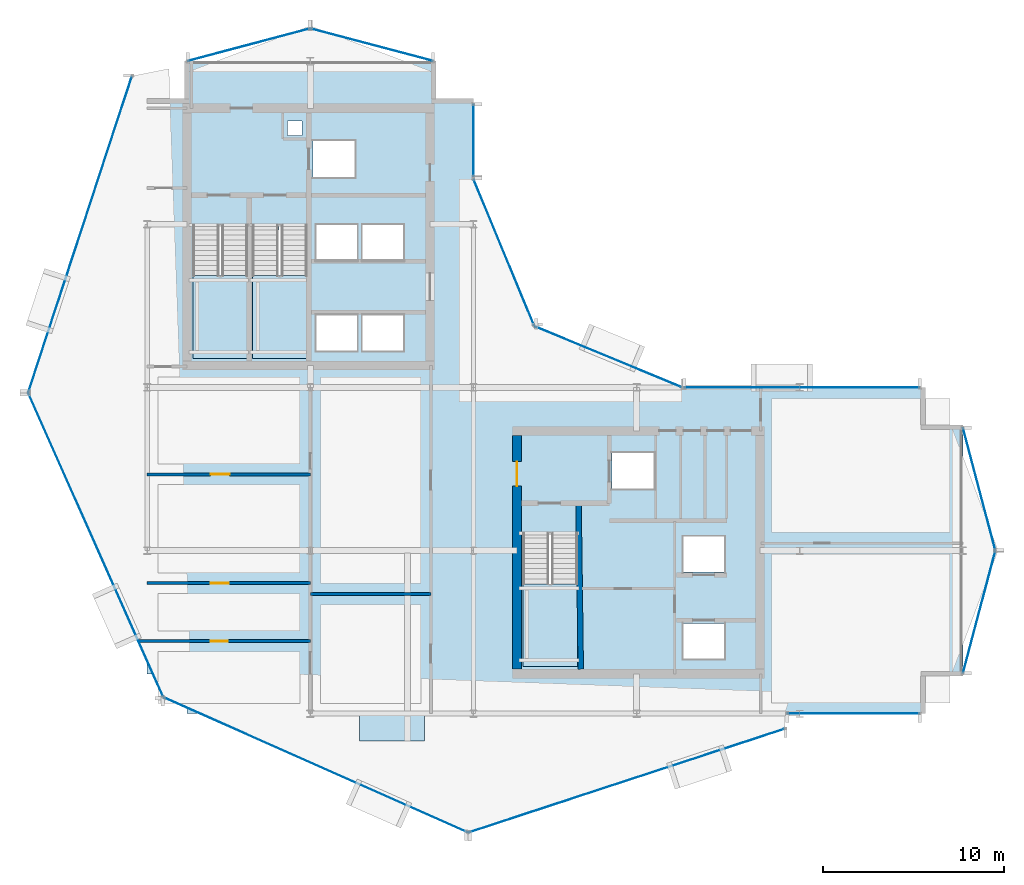
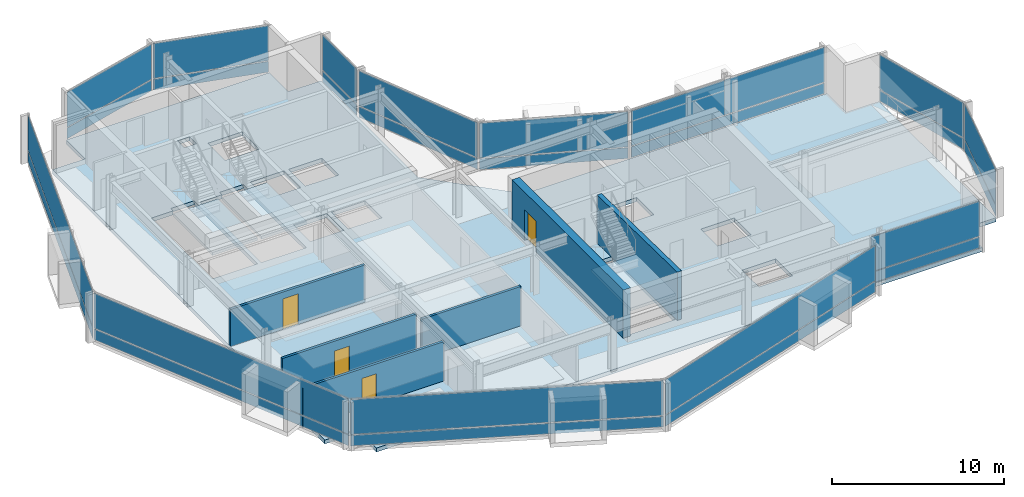
# One storey, part 19 of 27: 26 plates, 6 walls, 5 slabs, 4 doors, 4 openings, 16 elements without a shape of their own.
"""IFC4 building model written with IfcOpenShell, lengths in metres."""

from ifc_helpers import new_model, si_unit, direction, frame, frame_2d, origin, origin_2d, place, context, subcontext, project, spatial, polyline, rectangle, outline, extrude, material, layer, layer_set, type_object, element, fill, aggregate, save


model = new_model("IFC4")

# Units and contexts
model_context = context("Model", 3, precision=1e-05, world=origin(), true_north=direction((0.0, 1.0)))
body_context = subcontext(model_context, "Body", "Model", "MODEL_VIEW")
ifc_project = project(units=[si_unit("LENGTHUNIT", "METRE"), si_unit("AREAUNIT", "SQUARE_METRE"), si_unit("VOLUMEUNIT", "CUBIC_METRE"), si_unit("PLANEANGLEUNIT", "RADIAN"), si_unit("MASSUNIT", "GRAM", prefix="KILO")], contexts=[model_context])

# Site, building, storey
site_placement = place(None, origin())
site = spatial("IfcSite", under=ifc_project, at=site_placement, CompositionType="ELEMENT")
building_placement = place(site_placement, origin())
building = spatial("IfcBuilding", under=site, at=building_placement, Name="Solvaryn Broadcast Tower", CompositionType="ELEMENT")
storey_placement = place(building_placement, frame((0.0, 0.0, 181.60009765625)))
storey = spatial("IfcBuildingStorey", under=building, at=storey_placement, Name="L45", CompositionType="ELEMENT", Elevation=181.60009765625)

# Curtain wall, plates
ifc_material_1 = material(Name="Aluminium and Terracotta Unitised Curtain Wall", Category="masonry")
ifc_layer_1 = layer(ifc_material_1, 0.199951171875)
ifc_layer_set_1 = layer_set([ifc_layer_1], Name="CW-SYS2-LOWMID")
curtain_wall_type = type_object("IfcCurtainWallType", Name="CW-SYS2-LOWMID", PredefinedType="NOTDEFINED", material=ifc_layer_set_1)
curtain_wall_1_placement = place(storey_placement, origin())
curtain_wall_1 = element("IfcCurtainWall", 1, at=curtain_wall_1_placement, inside=storey, type_object=curtain_wall_type, Name="L45 Curtain Wall DR1", PredefinedType="NOTDEFINED")
ifc_material_2 = material(Name="Low-Iron Insulated Vision Glass", Category="glass")
ifc_layer_2 = layer(ifc_material_2, 0.035888671875)
ifc_layer_set_2 = layer_set([ifc_layer_2], Name="CW-PNL-VISION")
plate_type = type_object("IfcPlateType", Name="CW-PNL-VISION", PredefinedType="CURTAIN_PANEL", material=ifc_layer_set_2)
plate_1_placement = place(storey_placement, frame((5.298095703125, 35.444091796875, 0.06005859375), z_axis=(0.0, 0.0, 1.0), x_axis=(-0.311558717623, -0.950226902099, 0.0)))
plate_1 = element("IfcPlate", 2, at=plate_1_placement, type_object=plate_type, Name="CWS2 panel 1.1", PredefinedType="CURTAIN_PANEL", context=body_context, shape_type="SweptSolid", body=[
    extrude(rectangle(XDim=18.271484375, YDim=0.028076171875, at=origin_2d()), origin(), (0.0, 0.0, 1.0), 0.760009765625),
])
plate_2_placement = place(storey_placement, frame((5.298095703125, 35.444091796875, 0.8798828125), z_axis=(0.0, 0.0, 1.0), x_axis=(-0.311558717623, -0.950226902099, 0.0)))
plate_2 = element("IfcPlate", 3, at=plate_2_placement, type_object=plate_type, Name="CWS2 panel 1.2", PredefinedType="CURTAIN_PANEL", context=body_context, shape_type="SweptSolid", body=[
    extrude(rectangle(XDim=18.271484375, YDim=0.028076171875, at=origin_2d()), origin(), (0.0, 0.0, 1.0), 2.47998046875),
])
aggregate(curtain_wall_1, [plate_1, plate_2])

curtain_wall_2_placement = place(storey_placement, origin())
curtain_wall_2 = element("IfcCurtainWall", 4, at=curtain_wall_2_placement, inside=storey, type_object=curtain_wall_type, Name="L45 Curtain Wall DR2", PredefinedType="NOTDEFINED")
plate_3_placement = place(storey_placement, frame((6.16552734375, 18.302001953125, 0.06005859375), z_axis=(0.0, 0.0, 1.0), x_axis=(0.405901337237, -0.913916902365, 0.0)))
plate_3 = element("IfcPlate", 5, at=plate_3_placement, type_object=plate_type, Name="CWS2 panel 1.1", PredefinedType="CURTAIN_PANEL", context=body_context, shape_type="SweptSolid", body=[
    extrude(rectangle(XDim=18.271240234375, YDim=0.028076171875, at=origin_2d()), origin(), (0.0, 0.0, 1.0), 0.760009765625),
])
plate_4_placement = place(storey_placement, frame((6.16552734375, 18.302001953125, 0.8798828125), z_axis=(0.0, 0.0, 1.0), x_axis=(0.405901337237, -0.913916902365, 0.0)))
plate_4 = element("IfcPlate", 6, at=plate_4_placement, type_object=plate_type, Name="CWS2 panel 1.2", PredefinedType="CURTAIN_PANEL", context=body_context, shape_type="SweptSolid", body=[
    extrude(rectangle(XDim=18.271240234375, YDim=0.028076171875, at=origin_2d()), origin(), (0.0, 0.0, 1.0), 2.47998046875),
])
aggregate(curtain_wall_2, [plate_3, plate_4])

curtain_wall_3_placement = place(storey_placement, origin())
curtain_wall_3 = element("IfcCurtainWall", 7, at=curtain_wall_3_placement, inside=storey, type_object=curtain_wall_type, Name="L45 Curtain Wall DR3", PredefinedType="NOTDEFINED")
plate_5_placement = place(storey_placement, frame((18.302001953125, 6.16552734375, 0.06005859375), z_axis=(0.0, 0.0, 1.0), x_axis=(0.913916902365, -0.405901337237, 0.0)))
plate_5 = element("IfcPlate", 8, at=plate_5_placement, type_object=plate_type, Name="CWS2 panel 1.1", PredefinedType="CURTAIN_PANEL", context=body_context, shape_type="SweptSolid", body=[
    extrude(rectangle(XDim=18.271240234375, YDim=0.028076171875, at=origin_2d()), origin(), (0.0, 0.0, 1.0), 0.760009765625),
])
plate_6_placement = place(storey_placement, frame((18.302001953125, 6.16552734375, 0.8798828125), z_axis=(0.0, 0.0, 1.0), x_axis=(0.913916902365, -0.405901337237, 0.0)))
plate_6 = element("IfcPlate", 9, at=plate_6_placement, type_object=plate_type, Name="CWS2 panel 1.2", PredefinedType="CURTAIN_PANEL", context=body_context, shape_type="SweptSolid", body=[
    extrude(rectangle(XDim=18.271240234375, YDim=0.028076171875, at=origin_2d()), origin(), (0.0, 0.0, 1.0), 2.47998046875),
])
aggregate(curtain_wall_3, [plate_5, plate_6])

curtain_wall_4_placement = place(storey_placement, origin())
curtain_wall_4 = element("IfcCurtainWall", 10, at=curtain_wall_4_placement, inside=storey, type_object=curtain_wall_type, Name="L45 Curtain Wall DR4", PredefinedType="NOTDEFINED")
plate_7_placement = place(storey_placement, frame((35.444091796875, 5.298095703125, 0.06005859375), z_axis=(0.0, 0.0, 1.0), x_axis=(0.950226902099, 0.311558717623, 0.0)))
plate_7 = element("IfcPlate", 11, at=plate_7_placement, type_object=plate_type, Name="CWS2 panel 1.1", PredefinedType="CURTAIN_PANEL", context=body_context, shape_type="SweptSolid", body=[
    extrude(rectangle(XDim=18.271484375, YDim=0.028076171875, at=origin_2d()), origin(), (0.0, 0.0, 1.0), 0.760009765625),
])
plate_8_placement = place(storey_placement, frame((35.444091796875, 5.298095703125, 0.8798828125), z_axis=(0.0, 0.0, 1.0), x_axis=(0.950226902099, 0.311558717623, 0.0)))
plate_8 = element("IfcPlate", 12, at=plate_8_placement, type_object=plate_type, Name="CWS2 panel 1.2", PredefinedType="CURTAIN_PANEL", context=body_context, shape_type="SweptSolid", body=[
    extrude(rectangle(XDim=18.271484375, YDim=0.028076171875, at=origin_2d()), origin(), (0.0, 0.0, 1.0), 2.47998046875),
])
aggregate(curtain_wall_4, [plate_7, plate_8])

curtain_wall_5_placement = place(storey_placement, origin())
curtain_wall_5 = element("IfcCurtainWall", 13, at=curtain_wall_5_placement, inside=storey, type_object=curtain_wall_type, Name="L45 Curtain Wall IV", PredefinedType="NOTDEFINED")
plate_9_placement = place(storey_placement, frame((27.0, 40.625, 0.06005859375), z_axis=(0.0, 0.0, 1.0), x_axis=(0.0, -1.0, 0.0)))
plate_9 = element("IfcPlate", 14, at=plate_9_placement, type_object=plate_type, Name="CWS2 panel 1.1", PredefinedType="CURTAIN_PANEL", context=body_context, shape_type="SweptSolid", body=[
    extrude(rectangle(XDim=3.929931640625, YDim=0.028076171875, at=origin_2d()), origin(), (0.0, 0.0, 1.0), 0.760009765625),
])
plate_10_placement = place(storey_placement, frame((27.0, 40.625, 0.8798828125), z_axis=(0.0, 0.0, 1.0), x_axis=(0.0, -1.0, 0.0)))
plate_10 = element("IfcPlate", 15, at=plate_10_placement, type_object=plate_type, Name="CWS2 panel 1.2", PredefinedType="CURTAIN_PANEL", context=body_context, shape_type="SweptSolid", body=[
    extrude(rectangle(XDim=3.929931640625, YDim=0.028076171875, at=origin_2d()), origin(), (0.0, 0.0, 1.0), 2.47998046875),
])
aggregate(curtain_wall_5, [plate_9, plate_10])

curtain_wall_6_placement = place(storey_placement, origin())
curtain_wall_6 = element("IfcCurtainWall", 16, at=curtain_wall_6_placement, inside=storey, type_object=curtain_wall_type, Name="L45 Curtain Wall CN1", PredefinedType="NOTDEFINED")
plate_11_placement = place(storey_placement, frame((34.43408203125, 28.68408203125, 0.06005859375), z_axis=(0.0, 0.0, 1.0), x_axis=(-0.923894983957, 0.382646127145, 0.0)))
plate_11 = element("IfcPlate", 17, at=plate_11_placement, type_object=plate_type, Name="CWS2 panel 1.1", PredefinedType="CURTAIN_PANEL", context=body_context, shape_type="SweptSolid", body=[
    extrude(rectangle(XDim=8.681884765625, YDim=0.028076171875, at=origin_2d()), origin(), (0.0, 0.0, 1.0), 0.760009765625),
])
plate_12_placement = place(storey_placement, frame((34.43408203125, 28.68408203125, 0.8798828125), z_axis=(0.0, 0.0, 1.0), x_axis=(-0.923894983957, 0.382646127145, 0.0)))
plate_12 = element("IfcPlate", 18, at=plate_12_placement, type_object=plate_type, Name="CWS2 panel 1.2", PredefinedType="CURTAIN_PANEL", context=body_context, shape_type="SweptSolid", body=[
    extrude(rectangle(XDim=8.681884765625, YDim=0.028076171875, at=origin_2d()), origin(), (0.0, 0.0, 1.0), 2.47998046875),
])
aggregate(curtain_wall_6, [plate_11, plate_12])

curtain_wall_7_placement = place(storey_placement, origin())
curtain_wall_7 = element("IfcCurtainWall", 19, at=curtain_wall_7_placement, inside=storey, type_object=curtain_wall_type, Name="L45 Curtain Wall CN2", PredefinedType="NOTDEFINED")
plate_13_placement = place(storey_placement, frame((28.68408203125, 34.43408203125, 0.06005859375), z_axis=(0.0, 0.0, 1.0), x_axis=(-0.382646127145, 0.923894983957, 0.0)))
plate_13 = element("IfcPlate", 20, at=plate_13_placement, type_object=plate_type, Name="CWS2 panel 1.1", PredefinedType="CURTAIN_PANEL", context=body_context, shape_type="SweptSolid", body=[
    extrude(rectangle(XDim=8.681884765625, YDim=0.028076171875, at=origin_2d()), origin(), (0.0, 0.0, 1.0), 0.760009765625),
])
plate_14_placement = place(storey_placement, frame((28.68408203125, 34.43408203125, 0.8798828125), z_axis=(0.0, 0.0, 1.0), x_axis=(-0.382646127145, 0.923894983957, 0.0)))
plate_14 = element("IfcPlate", 21, at=plate_14_placement, type_object=plate_type, Name="CWS2 panel 1.2", PredefinedType="CURTAIN_PANEL", context=body_context, shape_type="SweptSolid", body=[
    extrude(rectangle(XDim=8.681884765625, YDim=0.028076171875, at=origin_2d()), origin(), (0.0, 0.0, 1.0), 2.47998046875),
])
aggregate(curtain_wall_7, [plate_13, plate_14])

curtain_wall_8_placement = place(storey_placement, origin())
curtain_wall_8 = element("IfcCurtainWall", 22, at=curtain_wall_8_placement, inside=storey, type_object=curtain_wall_type, Name="L45 Curtain Wall S2", PredefinedType="NOTDEFINED")
plate_15_placement = place(storey_placement, frame((47.966064453125, 9.0, 0.06005859375), z_axis=(0.0, 0.0, 1.0), x_axis=(1.0, 0.0, 0.0)))
plate_15 = element("IfcPlate", 23, at=plate_15_placement, type_object=plate_type, Name="CWS2 panel 1.1", PredefinedType="CURTAIN_PANEL", context=body_context, shape_type="SweptSolid", body=[
    extrude(rectangle(XDim=7.248046875, YDim=0.028076171875, at=origin_2d()), origin(), (0.0, 0.0, 1.0), 0.760009765625),
])
plate_16_placement = place(storey_placement, frame((47.966064453125, 9.0, 0.8798828125), z_axis=(0.0, 0.0, 1.0), x_axis=(1.0, 0.0, 0.0)))
plate_16 = element("IfcPlate", 24, at=plate_16_placement, type_object=plate_type, Name="CWS2 panel 1.2", PredefinedType="CURTAIN_PANEL", context=body_context, shape_type="SweptSolid", body=[
    extrude(rectangle(XDim=7.248046875, YDim=0.028076171875, at=origin_2d()), origin(), (0.0, 0.0, 1.0), 2.47998046875),
])
aggregate(curtain_wall_8, [plate_15, plate_16])

curtain_wall_9_placement = place(storey_placement, origin())
curtain_wall_9 = element("IfcCurtainWall", 25, at=curtain_wall_9_placement, inside=storey, type_object=curtain_wall_type, Name="L45 Curtain Wall NT1", PredefinedType="NOTDEFINED")
plate_17_placement = place(storey_placement, frame((21.39990234375, 45.89990234375, 0.06005859375), z_axis=(0.0, 0.0, 1.0), x_axis=(-0.966705227863, 0.25589256031, 0.0)))
plate_17 = element("IfcPlate", 26, at=plate_17_placement, type_object=plate_type, Name="CWS2 panel 1.1", PredefinedType="CURTAIN_PANEL", context=body_context, shape_type="SweptSolid", body=[
    extrude(rectangle(XDim=6.914306640625, YDim=0.028076171875, at=origin_2d()), origin(), (0.0, 0.0, 1.0), 0.760009765625),
])
plate_18_placement = place(storey_placement, frame((21.39990234375, 45.89990234375, 0.8798828125), z_axis=(0.0, 0.0, 1.0), x_axis=(-0.966705227863, 0.25589256031, 0.0)))
plate_18 = element("IfcPlate", 27, at=plate_18_placement, type_object=plate_type, Name="CWS2 panel 1.2", PredefinedType="CURTAIN_PANEL", context=body_context, shape_type="SweptSolid", body=[
    extrude(rectangle(XDim=6.914306640625, YDim=0.028076171875, at=origin_2d()), origin(), (0.0, 0.0, 1.0), 2.47998046875),
])
aggregate(curtain_wall_9, [plate_17, plate_18])

curtain_wall_10_placement = place(storey_placement, origin())
curtain_wall_10 = element("IfcCurtainWall", 28, at=curtain_wall_10_placement, inside=storey, type_object=curtain_wall_type, Name="L45 Curtain Wall NT2", PredefinedType="NOTDEFINED")
plate_19_placement = place(storey_placement, frame((14.60009765625, 45.89990234375, 0.06005859375), z_axis=(0.0, 0.0, 1.0), x_axis=(-0.966705227863, -0.25589256031, 0.0)))
plate_19 = element("IfcPlate", 29, at=plate_19_placement, type_object=plate_type, Name="CWS2 panel 1.1", PredefinedType="CURTAIN_PANEL", context=body_context, shape_type="SweptSolid", body=[
    extrude(rectangle(XDim=6.914306640625, YDim=0.028076171875, at=origin_2d()), origin(), (0.0, 0.0, 1.0), 0.760009765625),
])
plate_20_placement = place(storey_placement, frame((14.60009765625, 45.89990234375, 0.8798828125), z_axis=(0.0, 0.0, 1.0), x_axis=(-0.966705227863, -0.25589256031, 0.0)))
plate_20 = element("IfcPlate", 30, at=plate_20_placement, type_object=plate_type, Name="CWS2 panel 1.2", PredefinedType="CURTAIN_PANEL", context=body_context, shape_type="SweptSolid", body=[
    extrude(rectangle(XDim=6.914306640625, YDim=0.028076171875, at=origin_2d()), origin(), (0.0, 0.0, 1.0), 2.47998046875),
])
aggregate(curtain_wall_10, [plate_19, plate_20])

curtain_wall_11_placement = place(storey_placement, origin())
curtain_wall_11 = element("IfcCurtainWall", 31, at=curtain_wall_11_placement, inside=storey, type_object=curtain_wall_type, Name="L45 Curtain Wall ET1", PredefinedType="NOTDEFINED")
plate_21_placement = place(storey_placement, frame((54.89990234375, 21.39990234375, 0.06005859375), z_axis=(0.0, 0.0, 1.0), x_axis=(0.25589256031, -0.966705227863, 0.0)))
plate_21 = element("IfcPlate", 32, at=plate_21_placement, type_object=plate_type, Name="CWS2 panel 1.1", PredefinedType="CURTAIN_PANEL", context=body_context, shape_type="SweptSolid", body=[
    extrude(rectangle(XDim=6.914306640625, YDim=0.028076171875, at=origin_2d()), origin(), (0.0, 0.0, 1.0), 0.760009765625),
])
plate_22_placement = place(storey_placement, frame((54.89990234375, 21.39990234375, 0.8798828125), z_axis=(0.0, 0.0, 1.0), x_axis=(0.25589256031, -0.966705227863, 0.0)))
plate_22 = element("IfcPlate", 33, at=plate_22_placement, type_object=plate_type, Name="CWS2 panel 1.2", PredefinedType="CURTAIN_PANEL", context=body_context, shape_type="SweptSolid", body=[
    extrude(rectangle(XDim=6.914306640625, YDim=0.028076171875, at=origin_2d()), origin(), (0.0, 0.0, 1.0), 2.47998046875),
])
aggregate(curtain_wall_11, [plate_21, plate_22])

curtain_wall_12_placement = place(storey_placement, origin())
curtain_wall_12 = element("IfcCurtainWall", 34, at=curtain_wall_12_placement, inside=storey, type_object=curtain_wall_type, Name="L45 Curtain Wall ET2", PredefinedType="NOTDEFINED")
plate_23_placement = place(storey_placement, frame((54.89990234375, 14.60009765625, 0.06005859375), z_axis=(0.0, 0.0, 1.0), x_axis=(-0.25589256031, -0.966705227863, 0.0)))
plate_23 = element("IfcPlate", 35, at=plate_23_placement, type_object=plate_type, Name="CWS2 panel 1.1", PredefinedType="CURTAIN_PANEL", context=body_context, shape_type="SweptSolid", body=[
    extrude(rectangle(XDim=6.914306640625, YDim=0.028076171875, at=origin_2d()), origin(), (0.0, 0.0, 1.0), 0.760009765625),
])
plate_24_placement = place(storey_placement, frame((54.89990234375, 14.60009765625, 0.8798828125), z_axis=(0.0, 0.0, 1.0), x_axis=(-0.25589256031, -0.966705227863, 0.0)))
plate_24 = element("IfcPlate", 36, at=plate_24_placement, type_object=plate_type, Name="CWS2 panel 1.2", PredefinedType="CURTAIN_PANEL", context=body_context, shape_type="SweptSolid", body=[
    extrude(rectangle(XDim=6.914306640625, YDim=0.028076171875, at=origin_2d()), origin(), (0.0, 0.0, 1.0), 2.47998046875),
])
aggregate(curtain_wall_12, [plate_23, plate_24])

curtain_wall_13_placement = place(storey_placement, origin())
curtain_wall_13 = element("IfcCurtainWall", 37, at=curtain_wall_13_placement, inside=storey, type_object=curtain_wall_type, Name="L45 Curtain Wall IH", PredefinedType="NOTDEFINED")
plate_25_placement = place(storey_placement, frame((45.125, 27.0, 0.06005859375), z_axis=(0.0, 0.0, 1.0), x_axis=(1.0, 0.0, 0.0)))
plate_25 = element("IfcPlate", 38, at=plate_25_placement, type_object=plate_type, Name="CWS2 panel 1.1", PredefinedType="CURTAIN_PANEL", context=body_context, shape_type="SweptSolid", body=[
    extrude(rectangle(XDim=12.929931640625, YDim=0.028076171875, at=origin_2d()), origin(), (0.0, 0.0, 1.0), 0.760009765625),
])
plate_26_placement = place(storey_placement, frame((45.125, 27.0, 0.8798828125), z_axis=(0.0, 0.0, 1.0), x_axis=(1.0, 0.0, 0.0)))
plate_26 = element("IfcPlate", 39, at=plate_26_placement, type_object=plate_type, Name="CWS2 panel 1.2", PredefinedType="CURTAIN_PANEL", context=body_context, shape_type="SweptSolid", body=[
    extrude(rectangle(XDim=12.929931640625, YDim=0.028076171875, at=origin_2d()), origin(), (0.0, 0.0, 1.0), 2.47998046875),
])
aggregate(curtain_wall_13, [plate_25, plate_26])

# Slab
ifc_material_3 = material(Name="Concrete f'c 60 MPa", Category="concrete")
ifc_layer_3 = layer(ifc_material_3, 0.2099609375)
ifc_layer_set_3 = layer_set([ifc_layer_3], Name="SL-BAYBOX-210")
slab_type_1 = type_object("IfcSlabType", Name="SL-BAYBOX-210", PredefinedType="FLOOR", material=ifc_layer_set_3)
slab_1_placement = place(storey_placement, frame((0.0, 0.0, -0.210205078125)))
element("IfcSlab", 40, at=slab_1_placement, inside=storey, type_object=slab_type_1, Name="L45 Projecting Bay-Box Slab 1", PredefinedType="FLOOR", context=body_context, shape_type="SweptSolid", body=[
    extrude(outline(polyline([(20.699951171875, 7.5), (24.300048828125, 7.5), (24.300048828125, 9.0), (20.699951171875, 9.0), (20.699951171875, 7.5)])), origin(), (0.0, 0.0, 1.0), 0.210205078125),
])

# Stair, slab
ifc_material_4 = material(Name="Concrete f'c 60 MPa", Category="concrete")
stair_type = type_object("IfcStairType", Name="ST-CORE", PredefinedType="HALF_TURN_STAIR", material=ifc_material_4)
stair_1_placement = place(storey_placement, origin())
stair_1 = element("IfcStair", 41, at=stair_1_placement, inside=storey, type_object=stair_type, Name="L45 ST1", PredefinedType="HALF_TURN_STAIR")
ifc_material_5 = material(Name="Concrete f'c 60 MPa", Category="concrete")
ifc_layer_4 = layer(ifc_material_5, 0.199951171875)
ifc_layer_set_4 = layer_set([ifc_layer_4], Name="SL-LANDING-200")
slab_type_2 = type_object("IfcSlabType", Name="SL-LANDING-200", PredefinedType="LANDING", material=ifc_layer_set_4)
slab_2_placement = place(storey_placement, frame((0.0, 0.0, 1.64990234375)))
slab_2 = element("IfcSlab", 42, at=slab_2_placement, type_object=slab_type_2, Name="ST1 landing 1", PredefinedType="LANDING", context=body_context, shape_type="SweptSolid", body=[
    extrude(outline(polyline([(11.52001953125, 33.159912109375), (11.52001953125, 28.60009765625), (14.550048828125, 28.60009765625), (14.550048828125, 33.159912109375), (11.52001953125, 33.159912109375)])), origin(), (0.0, 0.0, 1.0), 0.199951171875),
])
aggregate(stair_1, [slab_2])

stair_2_placement = place(storey_placement, origin())
stair_2 = element("IfcStair", 43, at=stair_2_placement, inside=storey, type_object=stair_type, Name="L45 ST2", PredefinedType="HALF_TURN_STAIR")
slab_3_placement = place(storey_placement, frame((0.0, 0.0, 1.64990234375)))
slab_3 = element("IfcSlab", 44, at=slab_3_placement, type_object=slab_type_2, Name="ST2 landing 1", PredefinedType="LANDING", context=body_context, shape_type="SweptSolid", body=[
    extrude(outline(polyline([(14.800048828125, 33.159912109375), (14.800048828125, 28.60009765625), (17.830078125, 28.60009765625), (17.830078125, 33.159912109375), (14.800048828125, 33.159912109375)])), origin(), (0.0, 0.0, 1.0), 0.199951171875),
])
aggregate(stair_2, [slab_3])

stair_3_placement = place(storey_placement, origin())
stair_3 = element("IfcStair", 45, at=stair_3_placement, inside=storey, type_object=stair_type, Name="L45 ST3", PredefinedType="HALF_TURN_STAIR")
slab_4_placement = place(storey_placement, frame((0.0, 0.0, 1.64990234375)))
slab_4 = element("IfcSlab", 46, at=slab_4_placement, type_object=slab_type_2, Name="ST3 landing 1", PredefinedType="LANDING", context=body_context, shape_type="SweptSolid", body=[
    extrude(outline(polyline([(29.719970703125, 16.159912109375), (29.719970703125, 11.60009765625), (32.75, 11.60009765625), (32.75, 16.159912109375), (29.719970703125, 16.159912109375)])), origin(), (0.0, 0.0, 1.0), 0.199951171875),
])
aggregate(stair_3, [slab_4])

# Slab
ifc_material_6 = material(Name="Concrete f'c 60 MPa", Category="concrete")
ifc_layer_5 = layer(ifc_material_6, 0.280029296875)
ifc_layer_set_5 = layer_set([ifc_layer_5], Name="SL-TWR-280")
slab_type_3 = type_object("IfcSlabType", Name="SL-TWR-280", PredefinedType="FLOOR", material=ifc_layer_set_5)
slab_5_placement = place(storey_placement, frame((0.0, 0.0, -0.280029296875)))
element("IfcSlab", 47, at=slab_5_placement, inside=storey, type_object=slab_type_3, Name="L45 Structural Floor Slab", PredefinedType="FLOOR", context=body_context, shape_type="SweptSolid", body=[
    extrude(outline(polyline([(11.199951171875, 9.0), (51.800048828125, 9.0), (51.800048828125, 11.199951171875), (54.0, 11.199951171875), (54.0, 24.800048828125), (51.800048828125, 24.800048828125), (51.800048828125, 27.0), (31.5, 27.0), (27.0, 31.5), (27.0, 42.800048828125), (24.800048828125, 42.800048828125), (24.800048828125, 45.0), (11.199951171875, 45.0), (11.199951171875, 42.800048828125), (9.0, 42.800048828125), (9.0, 11.199951171875), (11.199951171875, 11.199951171875), (11.199951171875, 9.0)]), holes=[polyline([(11.52001953125, 28.60009765625), (14.550048828125, 28.60009765625), (14.550048828125, 35.9599609375), (12.97998046875, 35.9599609375), (12.97998046875, 35.679931640625), (11.52001953125, 35.679931640625), (11.52001953125, 28.60009765625)]), polyline([(14.800048828125, 28.60009765625), (17.830078125, 28.60009765625), (17.830078125, 35.9599609375), (16.260009765625, 35.9599609375), (16.260009765625, 35.679931640625), (14.800048828125, 35.679931640625), (14.800048828125, 28.60009765625)]), polyline([(29.719970703125, 11.60009765625), (32.75, 11.60009765625), (32.75, 18.9599609375), (31.179931640625, 18.9599609375), (31.179931640625, 18.679931640625), (29.719970703125, 18.679931640625), (29.719970703125, 11.60009765625)]), polyline([(18.14990234375, 38.60009765625), (20.449951171875, 38.60009765625), (20.449951171875, 40.60009765625), (18.14990234375, 40.60009765625), (18.14990234375, 38.60009765625)]), polyline([(18.324951171875, 29.02490234375), (20.574951171875, 29.02490234375), (20.574951171875, 30.97509765625), (18.324951171875, 30.97509765625), (18.324951171875, 29.02490234375)]), polyline([(20.875, 29.02490234375), (23.125, 29.02490234375), (23.125, 30.97509765625), (20.875, 30.97509765625), (20.875, 29.02490234375)]), polyline([(18.324951171875, 34.02490234375), (20.574951171875, 34.02490234375), (20.574951171875, 35.97509765625), (18.324951171875, 35.97509765625), (18.324951171875, 34.02490234375)]), polyline([(20.875, 34.02490234375), (23.125, 34.02490234375), (23.125, 35.97509765625), (20.875, 35.97509765625), (20.875, 34.02490234375)]), polyline([(34.64990234375, 21.39990234375), (36.949951171875, 21.39990234375), (36.949951171875, 23.39990234375), (34.64990234375, 23.39990234375), (34.64990234375, 21.39990234375)]), polyline([(38.574951171875, 12.02490234375), (40.824951171875, 12.02490234375), (40.824951171875, 13.97509765625), (38.574951171875, 13.97509765625), (38.574951171875, 12.02490234375)]), polyline([(38.574951171875, 16.824951171875), (40.824951171875, 16.824951171875), (40.824951171875, 18.77490234375), (38.574951171875, 18.77490234375), (38.574951171875, 16.824951171875)]), polyline([(16.75, 40.89990234375), (17.550048828125, 40.89990234375), (17.550048828125, 41.699951171875), (16.75, 41.699951171875), (16.75, 40.89990234375)])]), origin(), (0.0, 0.0, 1.0), 0.280029296875),
])

# Wall, opening, door
ifc_material_7 = material(Name="Concrete f'c 70 MPa", Category="concrete")
ifc_layer_6 = layer(ifc_material_7, 0.5)
ifc_layer_set_6 = layer_set([ifc_layer_6], Name="CW-SHEAR-500")
wall_type_1 = type_object("IfcWallType", Name="CW-SHEAR-500", PredefinedType="SHEAR", material=ifc_layer_set_6)
wall_1_placement = place(storey_placement, frame((29.39990234375, 24.35009765625, 0.0), z_axis=(0.0, 0.0, 1.0), x_axis=(0.0, -1.0, 0.0)))
wall_1 = element("IfcWall", 48, at=wall_1_placement, inside=storey, type_object=wall_type_1, Name="L45 East Core West Shear Wall", PredefinedType="SHEAR", context=body_context, shape_type="SweptSolid", body=[
    extrude(rectangle(XDim=12.900146484375, YDim=0.5, at=frame_2d((6.4501953125, 0.0))), origin(), (0.0, 0.0, 1.0), 3.419921875),
])
opening_1_placement = place(wall_1_placement, frame((1.449951171875, 0.0, 0.0)))
opening_1 = element("IfcOpeningElement", 49, at=opening_1_placement, cuts=wall_1, Name="Opening FD90B", PredefinedType="OPENING", context=body_context, shape_type="SweptSolid", body=[
    extrude(rectangle(XDim=1.35009765625, YDim=2.14990234375, at=frame_2d((0.675048828125, 1.074951171875))), frame((0.0, 0.260009765625, 0.0), z_axis=(0.0, -1.0, 0.0), x_axis=(1.0, 0.0, 0.0)), (0.0, 0.0, 1.0), 0.52001953125),
])
ifc_material_8 = material(Name="Flush Acoustic Steel and Timber Door Assembly", Category="steel")
door_type_1 = type_object("IfcDoorType", Name="FD90-LOBBY-1350X2150", OperationType="NOTDEFINED", PredefinedType="DOOR", material=ifc_material_8)
door_1_placement = place(opening_1_placement, origin())
door_1 = element("IfcDoor", 50, at=door_1_placement, inside=storey, type_object=door_type_1, Name="L45 East FSAE Lobby Door", OperationType="SINGLE_SWING_RIGHT", OverallHeight=2.14990234375, OverallWidth=1.35009765625, PredefinedType="DOOR", context=body_context, shape_type="SweptSolid", body=[
    extrude(rectangle(XDim=1.35009765625, YDim=2.14990234375, at=frame_2d((0.675048828125, 1.074951171875))), frame((0.0, 0.02490234375, 0.0), z_axis=(0.0, -1.0, 0.0), x_axis=(1.0, 0.0, 0.0)), (0.0, 0.0, 1.0), 0.050048828125),
])
fill(opening_1, door_1)

# Wall
ifc_material_9 = material(Name="Metal-Stud Gypsum Office Partition")
ifc_layer_7 = layer(ifc_material_9, 0.159912109375)
ifc_layer_set_7 = layer_set([ifc_layer_7], Name="IW-PART-160")
wall_type_2 = type_object("IfcWallType", Name="IW-PART-160", PredefinedType="PARTITIONING", material=ifc_layer_set_7)
wall_2_placement = place(storey_placement, frame((18.0, 15.60009765625, 0.0), z_axis=(0.0, 0.0, 1.0), x_axis=(1.0, 0.0, 0.0)))
element("IfcWall", 51, at=wall_2_placement, inside=storey, type_object=wall_type_2, Name="L45 Interior Partition IW-L45-SWE-H1", PredefinedType="PARTITIONING", context=body_context, shape_type="SweptSolid", body=[
    extrude(rectangle(XDim=6.64990234375, YDim=0.159912109375, at=frame_2d((3.324951171875, 0.0))), origin(), (0.0, 0.0, 1.0), 2.788818359375),
])

# Wall, opening, door
wall_3_placement = place(storey_placement, frame((8.52001953125, 13.0, 0.0), z_axis=(0.0, 0.0, 1.0), x_axis=(1.0, 0.0, 0.0)))
wall_3 = element("IfcWall", 52, at=wall_3_placement, inside=storey, type_object=wall_type_2, Name="L45 Interior Partition IW-L45-SWW-H1", PredefinedType="PARTITIONING", context=body_context, shape_type="SweptSolid", body=[
    extrude(rectangle(XDim=9.47998046875, YDim=0.159912109375, at=frame_2d((4.739990234375, 0.0))), origin(), (0.0, 0.0, 1.0), 2.7919921875),
])
opening_2_placement = place(wall_3_placement, frame((3.97998046875, 0.0, 0.0)))
opening_2 = element("IfcOpeningElement", 53, at=opening_2_placement, cuts=wall_3, Name="Opening ID01", PredefinedType="OPENING", context=body_context, shape_type="SweptSolid", body=[
    extrude(rectangle(XDim=0.949951171875, YDim=2.10009765625, at=frame_2d((0.47509765625, 1.050048828125))), frame((0.0, 0.090087890625, 0.0), z_axis=(0.0, -1.0, 0.0), x_axis=(1.0, 0.0, 0.0)), (0.0, 0.0, 1.0), 0.179931640625),
])
ifc_material_10 = material(Name="Flush Acoustic Steel and Timber Door Assembly", Category="steel")
door_type_2 = type_object("IfcDoorType", Name="ID-01-950X2100", OperationType="NOTDEFINED", PredefinedType="DOOR", material=ifc_material_10)
door_2_placement = place(opening_2_placement, origin())
door_2 = element("IfcDoor", 54, at=door_2_placement, inside=storey, type_object=door_type_2, Name="L45 Door DR-L45-SWW-1", OperationType="SINGLE_SWING_RIGHT", OverallHeight=2.10009765625, OverallWidth=0.949951171875, PredefinedType="DOOR", context=body_context, shape_type="SweptSolid", body=[
    extrude(rectangle(XDim=0.949951171875, YDim=2.10009765625, at=frame_2d((0.47509765625, 1.050048828125))), frame((0.0, 0.02490234375, 0.0), z_axis=(0.0, -1.0, 0.0), x_axis=(1.0, 0.0, 0.0)), (0.0, 0.0, 1.0), 0.050048828125),
])
fill(opening_2, door_2)

wall_4_placement = place(storey_placement, frame((9.0, 16.199951171875, 0.0), z_axis=(0.0, 0.0, 1.0), x_axis=(1.0, 0.0, 0.0)))
wall_4 = element("IfcWall", 55, at=wall_4_placement, inside=storey, type_object=wall_type_2, Name="L45 Interior Partition IW-L45-SWW-H2", PredefinedType="PARTITIONING", context=body_context, shape_type="SweptSolid", body=[
    extrude(rectangle(XDim=9.0, YDim=0.159912109375, at=frame_2d((4.5, 0.0))), origin(), (0.0, 0.0, 1.0), 2.7919921875),
])
opening_3_placement = place(wall_4_placement, frame((3.5, 0.0, 0.0)))
opening_3 = element("IfcOpeningElement", 56, at=opening_3_placement, cuts=wall_4, Name="Opening ID02", PredefinedType="OPENING", context=body_context, shape_type="SweptSolid", body=[
    extrude(rectangle(XDim=1.0, YDim=2.10009765625, at=frame_2d((0.5, 1.050048828125))), frame((0.0, 0.090087890625, 0.0), z_axis=(0.0, -1.0, 0.0), x_axis=(1.0, 0.0, 0.0)), (0.0, 0.0, 1.0), 0.179931640625),
])
ifc_material_11 = material(Name="Flush Acoustic Steel and Timber Door Assembly", Category="steel")
door_type_3 = type_object("IfcDoorType", Name="ID-02-1000X2100", OperationType="NOTDEFINED", PredefinedType="DOOR", material=ifc_material_11)
door_3_placement = place(opening_3_placement, origin())
door_3 = element("IfcDoor", 57, at=door_3_placement, inside=storey, type_object=door_type_3, Name="L45 Door DR-L45-SWW-2", OperationType="SINGLE_SWING_LEFT", OverallHeight=2.10009765625, OverallWidth=1.0, PredefinedType="DOOR", context=body_context, shape_type="SweptSolid", body=[
    extrude(rectangle(XDim=1.0, YDim=2.10009765625, at=frame_2d((0.5, 1.050048828125))), frame((0.0, 0.02490234375, 0.0), z_axis=(0.0, -1.0, 0.0), x_axis=(1.0, 0.0, 0.0)), (0.0, 0.0, 1.0), 0.050048828125),
])
fill(opening_3, door_3)

wall_5_placement = place(storey_placement, frame((9.0, 22.199951171875, 0.0), z_axis=(0.0, 0.0, 1.0), x_axis=(1.0, 0.0, 0.0)))
wall_5 = element("IfcWall", 58, at=wall_5_placement, inside=storey, type_object=wall_type_2, Name="L45 Interior Partition IW-L45-SWW-H3", PredefinedType="PARTITIONING", context=body_context, shape_type="SweptSolid", body=[
    extrude(rectangle(XDim=9.0, YDim=0.159912109375, at=frame_2d((4.5, 0.0))), origin(), (0.0, 0.0, 1.0), 2.6337890625),
])
opening_4_placement = place(wall_5_placement, frame((3.5, 0.0, 0.0)))
opening_4 = element("IfcOpeningElement", 59, at=opening_4_placement, cuts=wall_5, Name="Opening ID03", PredefinedType="OPENING", context=body_context, shape_type="SweptSolid", body=[
    extrude(rectangle(XDim=1.050048828125, YDim=2.14990234375, at=frame_2d((0.52490234375, 1.074951171875))), frame((0.0, 0.090087890625, 0.0), z_axis=(0.0, -1.0, 0.0), x_axis=(1.0, 0.0, 0.0)), (0.0, 0.0, 1.0), 0.179931640625),
])
ifc_material_12 = material(Name="Flush Acoustic Steel and Timber Door Assembly", Category="steel")
door_type_4 = type_object("IfcDoorType", Name="ID-03-1050X2150", OperationType="NOTDEFINED", PredefinedType="DOOR", material=ifc_material_12)
door_4_placement = place(opening_4_placement, origin())
door_4 = element("IfcDoor", 60, at=door_4_placement, inside=storey, type_object=door_type_4, Name="L45 Door DR-L45-SWW-3", OperationType="SINGLE_SWING_RIGHT", OverallHeight=2.14990234375, OverallWidth=1.050048828125, PredefinedType="DOOR", context=body_context, shape_type="SweptSolid", body=[
    extrude(rectangle(XDim=1.050048828125, YDim=2.14990234375, at=frame_2d((0.52490234375, 1.074951171875))), frame((0.0, 0.02490234375, 0.0), z_axis=(0.0, -1.0, 0.0), x_axis=(1.0, 0.0, 0.0)), (0.0, 0.0, 1.0), 0.050048828125),
])
fill(opening_4, door_4)

# Wall
ifc_material_13 = material(Name="Concrete f'c 70 MPa", Category="concrete")
ifc_layer_8 = layer(ifc_material_13, 0.300048828125)
ifc_layer_set_8 = layer_set([ifc_layer_8], Name="SW-SHAFT-300")
wall_type_3 = type_object("IfcWallType", Name="SW-SHAFT-300", PredefinedType="SHEAR", material=ifc_layer_set_8)
wall_6_placement = place(storey_placement, frame((32.919921875, 11.449951171875, 0.0), z_axis=(0.0, 0.0, 1.0), x_axis=(-0.013171578211, 0.999913251001, 0.0)))
element("IfcWall", 61, at=wall_6_placement, inside=storey, type_object=wall_type_3, Name="L45 Stair 3 East Shear Wall", PredefinedType="SHEAR", context=body_context, shape_type="SweptSolid", body=[
    extrude(rectangle(XDim=9.100830078125, YDim=0.300048828125, at=frame_2d((4.55029296875, 0.0))), origin(), (0.0, 0.0, 1.0), 3.419921875),
])

save(model, "model.ifc")
